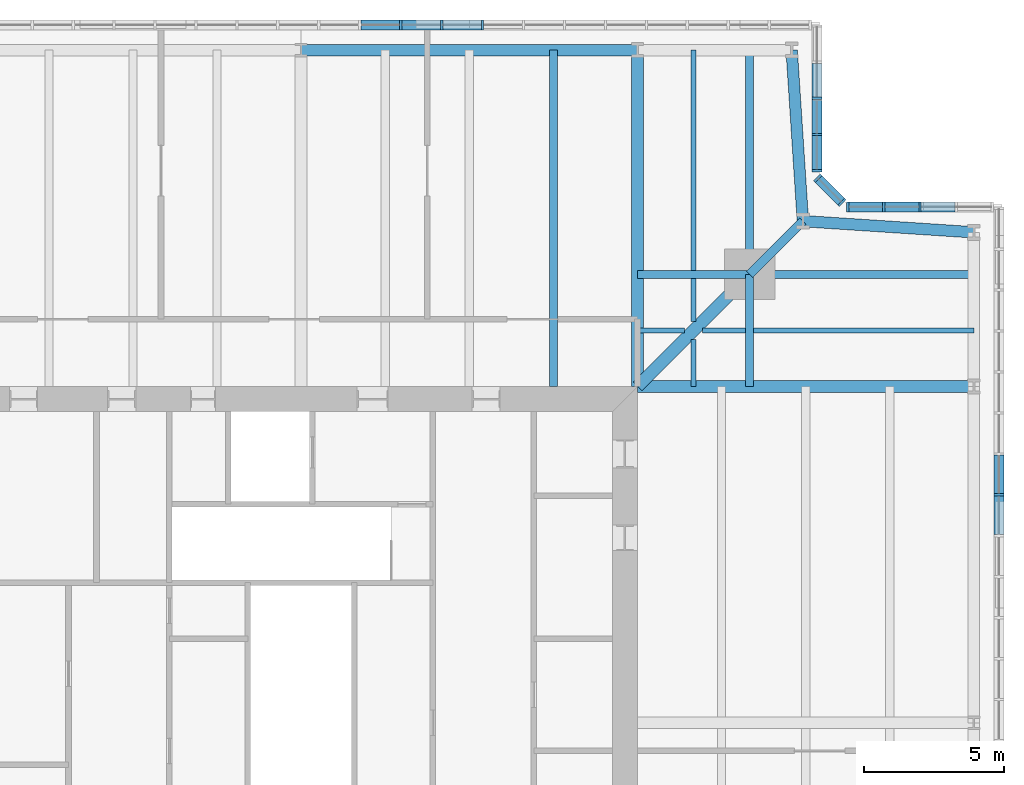
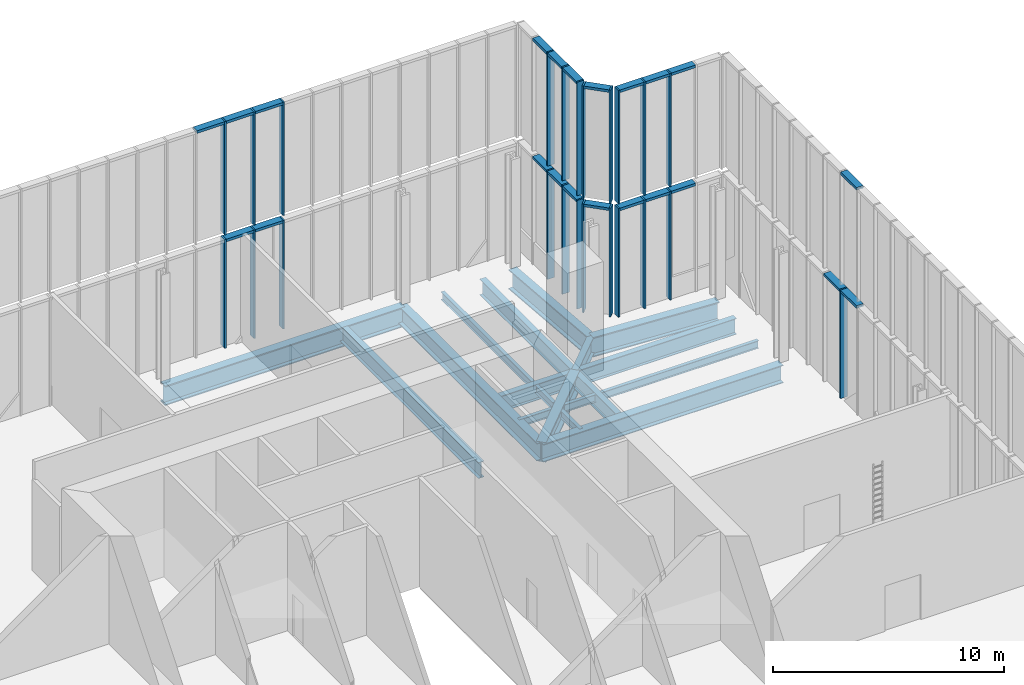
# One storey, part 10 of 25: 45 members, 18 beams, 10 elements without a shape of their own.
"""IFC4 building model written with IfcOpenShell, lengths in metres."""

from ifc_helpers import new_model, si_unit, direction, frame, origin, origin_2d, place, context, subcontext, project, spatial, rectangle, i_section, extrude, material, material_profile, profile_set, type_object, element, aggregate, save


model = new_model("IFC4")

# Units and contexts
model_context = context("Model", 3, precision=1e-05, world=origin(), true_north=direction((0.0, 1.0)))
body_context = subcontext(model_context, "Body", "Model", "MODEL_VIEW")
ifc_project = project(units=[si_unit("LENGTHUNIT", "METRE"), si_unit("AREAUNIT", "SQUARE_METRE"), si_unit("VOLUMEUNIT", "CUBIC_METRE"), si_unit("PLANEANGLEUNIT", "RADIAN"), si_unit("MASSUNIT", "GRAM", prefix="KILO")], contexts=[model_context])

# Site, building, storey
site_placement = place(None, origin())
site = spatial("IfcSite", under=ifc_project, at=site_placement, CompositionType="ELEMENT")
building_placement = place(site_placement, origin())
building = spatial("IfcBuilding", under=site, at=building_placement, Name="Fenwick Lantern Interchange", CompositionType="ELEMENT")
storey_placement = place(building_placement, frame((0.0, 0.0, 307.800048828125)))
storey = spatial("IfcBuildingStorey", under=building, at=storey_placement, Name="L74", CompositionType="ELEMENT", Elevation=307.800048828125)

# Beams
ifc_material_1 = material(Name="Steel ASTM A992 Grade 50", Category="steel")
ifc_material_profile_1 = material_profile(ifc_material_1, i_section(OverallWidth=0.408935546875, OverallDepth=1.04150390625, WebThickness=0.031005859375, FlangeThickness=0.055908203125, at=origin_2d()), Name="W40X397")
ifc_profile_set_1 = profile_set([ifc_material_profile_1], Name="Steel ASTM A992 Grade 50")
beam_type_1 = type_object("IfcBeamType", Name="EDGE BEAM W40X397", PredefinedType="SPANDREL", material=ifc_profile_set_1)
for number, where, z_axis, x_axis, name in (
    (1, (49.0, 42.5, -0.720703125), (-0.997858060337, 0.065416293237, 0.0), (-0.065416293237, -0.997858060337, 0.0), "L74/FR/E/EBR1"),
    (2, (42.89990234375, 42.89990234375, -0.720703125), (-0.065416293237, 0.997858060337, 0.0), (-0.997858060337, -0.065416293237, 0.0), "L74/FR/E/EBR2"),
):
    element("IfcBeam", number, at=place(storey_placement, frame(where, z_axis=z_axis, x_axis=x_axis)), inside=storey, type_object=beam_type_1, Name=name, PredefinedType="SPANDREL", context=body_context, shape_type="SweptSolid", body=[
        extrude(i_section(OverallWidth=0.408935546875, OverallDepth=1.04150390625, WebThickness=0.031005859375, FlangeThickness=0.055908203125, at=origin_2d()), origin(), (0.0, 0.0, 1.0), 6.11328125),
    ])
beam_1_placement = place(storey_placement, frame((37.0, 49.0, -0.720703125), z_axis=(-1.0, 0.0, 0.0), x_axis=(0.0, -1.0, 0.0)))
element("IfcBeam", 3, at=beam_1_placement, inside=storey, type_object=beam_type_1, Name="L74/FR/N/EB2", PredefinedType="SPANDREL", context=body_context, shape_type="SweptSolid", body=[
    extrude(i_section(OverallWidth=0.408935546875, OverallDepth=1.04150390625, WebThickness=0.031005859375, FlangeThickness=0.055908203125, at=origin_2d()), origin(), (0.0, 0.0, 1.0), 12.0),
])
ifc_material_profile_2 = material_profile(ifc_material_1, i_section(OverallWidth=0.2919921875, OverallDepth=0.845703125, WebThickness=0.015380859375, FlangeThickness=0.0244140625, at=origin_2d()), Name="W33X141")
ifc_profile_set_2 = profile_set([ifc_material_profile_2], Name="Steel ASTM A992 Grade 50")
beam_type_2 = type_object("IfcBeamType", Name="FLOOR BEAM W33X141", PredefinedType="BEAM", material=ifc_profile_set_2)
beam_2_placement = place(storey_placement, frame((34.0, 49.0, -0.623046875), z_axis=(0.0, -1.0, 0.0), x_axis=(1.0, 0.0, 0.0)))
element("IfcBeam", 4, at=beam_2_placement, inside=storey, type_object=beam_type_2, Name="L74/FR/N/R02", PredefinedType="BEAM", context=body_context, shape_type="SweptSolid", body=[
    extrude(i_section(OverallWidth=0.2919921875, OverallDepth=0.845703125, WebThickness=0.015380859375, FlangeThickness=0.0244140625, at=origin_2d()), origin(), (0.0, 0.0, 1.0), 12.0),
])
ifc_material_profile_3 = material_profile(ifc_material_1, i_section(OverallWidth=0.177734375, OverallDepth=0.406494140625, WebThickness=0.0078125, FlangeThickness=0.012939453125, at=origin_2d()), Name="W16X40")
ifc_profile_set_3 = profile_set([ifc_material_profile_3], Name="Steel ASTM A992 Grade 50")
beam_type_3 = type_object("IfcBeamType", Name="INFILL BEAM W16X40", PredefinedType="JOIST", material=ifc_profile_set_3)
beam_3_placement = place(storey_placement, frame((39.0, 49.0, -0.4033203125), z_axis=(0.0, -1.0, 0.0), x_axis=(1.0, 0.0, 0.0)))
element("IfcBeam", 5, at=beam_3_placement, inside=storey, type_object=beam_type_3, Name="L74/FR/N/J1", PredefinedType="JOIST", context=body_context, shape_type="SweptSolid", body=[
    extrude(i_section(OverallWidth=0.177734375, OverallDepth=0.406494140625, WebThickness=0.0078125, FlangeThickness=0.012939453125, at=origin_2d()), origin(), (0.0, 0.0, 1.0), 7.85400390625),
])
beam_4_placement = place(storey_placement, frame((39.0, 40.85400390625, -0.4033203125), z_axis=(0.0, -1.0, 0.0), x_axis=(1.0, 0.0, 0.0)))
element("IfcBeam", 6, at=beam_4_placement, inside=storey, type_object=beam_type_3, Name="L74/FR/N/J2", PredefinedType="JOIST", context=body_context, shape_type="SweptSolid", body=[
    extrude(i_section(OverallWidth=0.177734375, OverallDepth=0.406494140625, WebThickness=0.0078125, FlangeThickness=0.012939453125, at=origin_2d()), origin(), (0.0, 0.0, 1.0), 1.537841796875),
])
beam_5_placement = place(storey_placement, frame((39.0, 38.683837890625, -0.4033203125), z_axis=(0.0, -1.0, 0.0), x_axis=(1.0, 0.0, 0.0)))
element("IfcBeam", 7, at=beam_5_placement, inside=storey, type_object=beam_type_3, Name="L74/FR/N/J6", PredefinedType="JOIST", context=body_context, shape_type="SweptSolid", body=[
    extrude(i_section(OverallWidth=0.177734375, OverallDepth=0.406494140625, WebThickness=0.0078125, FlangeThickness=0.012939453125, at=origin_2d()), origin(), (0.0, 0.0, 1.0), 1.683837890625),
])
beam_6_placement = place(storey_placement, frame((49.0, 39.0, -0.4033203125), z_axis=(-1.0, 0.0, 0.0), x_axis=(0.0, -1.0, 0.0)))
element("IfcBeam", 8, at=beam_6_placement, inside=storey, type_object=beam_type_3, Name="L74/FR/N/J3", PredefinedType="JOIST", context=body_context, shape_type="SweptSolid", body=[
    extrude(i_section(OverallWidth=0.177734375, OverallDepth=0.406494140625, WebThickness=0.0078125, FlangeThickness=0.012939453125, at=origin_2d()), origin(), (0.0, 0.0, 1.0), 7.85400390625),
])
beam_7_placement = place(storey_placement, frame((40.85400390625, 39.0, -0.4033203125), z_axis=(-1.0, 0.0, 0.0), x_axis=(0.0, -1.0, 0.0)))
element("IfcBeam", 9, at=beam_7_placement, inside=storey, type_object=beam_type_3, Name="L74/FR/N/J4", PredefinedType="JOIST", context=body_context, shape_type="SweptSolid", body=[
    extrude(i_section(OverallWidth=0.177734375, OverallDepth=0.406494140625, WebThickness=0.0078125, FlangeThickness=0.012939453125, at=origin_2d()), origin(), (0.0, 0.0, 1.0), 1.537841796875),
])
beam_8_placement = place(storey_placement, frame((38.683837890625, 39.0, -0.4033203125), z_axis=(-1.0, 0.0, 0.0), x_axis=(0.0, -1.0, 0.0)))
element("IfcBeam", 10, at=beam_8_placement, inside=storey, type_object=beam_type_3, Name="L74/FR/N/J5", PredefinedType="JOIST", context=body_context, shape_type="SweptSolid", body=[
    extrude(i_section(OverallWidth=0.177734375, OverallDepth=0.406494140625, WebThickness=0.0078125, FlangeThickness=0.012939453125, at=origin_2d()), origin(), (0.0, 0.0, 1.0), 1.683837890625),
])

# Curtain wall, member
ifc_material_2 = material(Name="Aluminium curtain wall frame", Category="aluminium")
curtain_wall_type = type_object("IfcCurtainWallType", Name="LANTERN GLAZING", PredefinedType="USERDEFINED", material=ifc_material_2)
curtain_wall_1_placement = place(storey_placement, origin())
curtain_wall_1 = element("IfcCurtainWall", 11, at=curtain_wall_1_placement, inside=storey, type_object=curtain_wall_type, Name="Lantern glazing 05", ObjectType="LANTERN GLAZING", PredefinedType="USERDEFINED")
ifc_material_3 = material(Name="Aluminium extrusion", Category="aluminium")
ifc_material_profile_4 = material_profile(ifc_material_3, rectangle(XDim=0.35009765625, YDim=0.080078125, at=origin_2d()), Name="LANTERN GLAZING MULLION 80 X 350")
ifc_profile_set_4 = profile_set([ifc_material_profile_4], Name="Aluminium extrusion")
member_type_1 = type_object("IfcMemberType", Name="LANTERN GLAZING MULLION 80 X 350", PredefinedType="MULLION", material=ifc_profile_set_4)
member_1_placement = place(storey_placement, frame((49.89990234375, 33.134521484375, 0.0), z_axis=(0.0, 0.0, 1.0), x_axis=(-1.0, 0.0, 0.0)))
member_1 = element("IfcMember", 12, at=member_1_placement, type_object=member_type_1, Name="L74/CW/05/M18", PredefinedType="MULLION", context=body_context, shape_type="SweptSolid", body=[
    extrude(rectangle(XDim=0.35009765625, YDim=0.080078125, at=origin_2d()), origin(), (0.0, 0.0, 1.0), 5.75),
])

# Curtain wall, members
curtain_wall_2_placement = place(storey_placement, origin())
curtain_wall_2 = element("IfcCurtainWall", 13, at=curtain_wall_2_placement, inside=storey, type_object=curtain_wall_type, Name="Lantern glazing 06", ObjectType="LANTERN GLAZING", PredefinedType="USERDEFINED")
member_2_placement = place(storey_placement, frame((47.079345703125, 43.39990234375, 0.0), z_axis=(0.0, 0.0, 1.0), x_axis=(0.0, -1.0, 0.0)))
member_2 = element("IfcMember", 14, at=member_2_placement, type_object=member_type_1, Name="L74/CW/06/M02", PredefinedType="MULLION", context=body_context, shape_type="SweptSolid", body=[
    extrude(rectangle(XDim=0.35009765625, YDim=0.080078125, at=origin_2d()), origin(), (0.0, 0.0, 1.0), 5.75),
])
member_3_placement = place(storey_placement, frame((45.788818359375, 43.39990234375, 0.0), z_axis=(0.0, 0.0, 1.0), x_axis=(0.0, -1.0, 0.0)))
member_3 = element("IfcMember", 15, at=member_3_placement, type_object=member_type_1, Name="L74/CW/06/M03", PredefinedType="MULLION", context=body_context, shape_type="SweptSolid", body=[
    extrude(rectangle(XDim=0.35009765625, YDim=0.080078125, at=origin_2d()), origin(), (0.0, 0.0, 1.0), 5.75),
])
member_4_placement = place(storey_placement, frame((44.49853515625, 43.39990234375, 0.0), z_axis=(0.0, 0.0, 1.0), x_axis=(0.0, -1.0, 0.0)))
member_4 = element("IfcMember", 16, at=member_4_placement, type_object=member_type_1, Name="L74/CW/06/M04", PredefinedType="MULLION", context=body_context, shape_type="SweptSolid", body=[
    extrude(rectangle(XDim=0.35009765625, YDim=0.080078125, at=origin_2d()), origin(), (0.0, 0.0, 1.0), 5.75),
])

curtain_wall_3_placement = place(storey_placement, origin())
curtain_wall_3 = element("IfcCurtainWall", 17, at=curtain_wall_3_placement, inside=storey, type_object=curtain_wall_type, Name="Lantern glazing 07", ObjectType="LANTERN GLAZING", PredefinedType="USERDEFINED")
member_5_placement = place(storey_placement, frame((44.288818359375, 43.56982421875, 0.0), z_axis=(0.0, 0.0, 1.0), x_axis=(-0.707106781187, -0.707106781187, 0.0)))
member_5 = element("IfcMember", 18, at=member_5_placement, type_object=member_type_1, Name="L74/CW/07/M00", PredefinedType="MULLION", context=body_context, shape_type="SweptSolid", body=[
    extrude(rectangle(XDim=0.35009765625, YDim=0.080078125, at=origin_2d()), origin(), (0.0, 0.0, 1.0), 5.75),
])
member_6_placement = place(storey_placement, frame((43.42822265625, 44.43017578125, 0.0), z_axis=(0.0, 0.0, 1.0), x_axis=(-0.707106781187, -0.707106781187, 0.0)))
member_6 = element("IfcMember", 19, at=member_6_placement, type_object=member_type_1, Name="L74/CW/07/M01", PredefinedType="MULLION", context=body_context, shape_type="SweptSolid", body=[
    extrude(rectangle(XDim=0.35009765625, YDim=0.080078125, at=origin_2d()), origin(), (0.0, 0.0, 1.0), 5.75),
])

curtain_wall_4_placement = place(storey_placement, origin())
curtain_wall_4 = element("IfcCurtainWall", 20, at=curtain_wall_4_placement, inside=storey, type_object=curtain_wall_type, Name="Lantern glazing 08", ObjectType="LANTERN GLAZING", PredefinedType="USERDEFINED")
member_7_placement = place(storey_placement, frame((43.39990234375, 44.698486328125, 0.0), z_axis=(0.0, 0.0, 1.0), x_axis=(-1.0, 0.0, 0.0)))
member_7 = element("IfcMember", 21, at=member_7_placement, type_object=member_type_1, Name="L74/CW/08/M00", PredefinedType="MULLION", context=body_context, shape_type="SweptSolid", body=[
    extrude(rectangle(XDim=0.35009765625, YDim=0.080078125, at=origin_2d()), origin(), (0.0, 0.0, 1.0), 5.75),
])
member_8_placement = place(storey_placement, frame((43.39990234375, 45.989013671875, 0.0), z_axis=(0.0, 0.0, 1.0), x_axis=(-1.0, 0.0, 0.0)))
member_8 = element("IfcMember", 22, at=member_8_placement, type_object=member_type_1, Name="L74/CW/08/M01", PredefinedType="MULLION", context=body_context, shape_type="SweptSolid", body=[
    extrude(rectangle(XDim=0.35009765625, YDim=0.080078125, at=origin_2d()), origin(), (0.0, 0.0, 1.0), 5.75),
])
member_9_placement = place(storey_placement, frame((43.39990234375, 47.279296875, 0.0), z_axis=(0.0, 0.0, 1.0), x_axis=(-1.0, 0.0, 0.0)))
member_9 = element("IfcMember", 23, at=member_9_placement, type_object=member_type_1, Name="L74/CW/08/M02", PredefinedType="MULLION", context=body_context, shape_type="SweptSolid", body=[
    extrude(rectangle(XDim=0.35009765625, YDim=0.080078125, at=origin_2d()), origin(), (0.0, 0.0, 1.0), 5.75),
])

curtain_wall_5_placement = place(storey_placement, origin())
curtain_wall_5 = element("IfcCurtainWall", 24, at=curtain_wall_5_placement, inside=storey, type_object=curtain_wall_type, Name="Lantern glazing 09", ObjectType="LANTERN GLAZING", PredefinedType="USERDEFINED")
member_10_placement = place(storey_placement, frame((31.4736328125, 49.89990234375, 0.0), z_axis=(0.0, 0.0, 1.0), x_axis=(0.0, -1.0, 0.0)))
member_10 = element("IfcMember", 25, at=member_10_placement, type_object=member_type_1, Name="L74/CW/09/M08", PredefinedType="MULLION", context=body_context, shape_type="SweptSolid", body=[
    extrude(rectangle(XDim=0.35009765625, YDim=0.080078125, at=origin_2d()), origin(), (0.0, 0.0, 1.0), 5.75),
])
member_11_placement = place(storey_placement, frame((30.0126953125, 49.89990234375, 0.0), z_axis=(0.0, 0.0, 1.0), x_axis=(0.0, -1.0, 0.0)))
member_11 = element("IfcMember", 26, at=member_11_placement, type_object=member_type_1, Name="L74/CW/09/M09", PredefinedType="MULLION", context=body_context, shape_type="SweptSolid", body=[
    extrude(rectangle(XDim=0.35009765625, YDim=0.080078125, at=origin_2d()), origin(), (0.0, 0.0, 1.0), 5.75),
])
member_12_placement = place(storey_placement, frame((28.552001953125, 49.89990234375, 0.0), z_axis=(0.0, 0.0, 1.0), x_axis=(0.0, -1.0, 0.0)))
member_12 = element("IfcMember", 27, at=member_12_placement, type_object=member_type_1, Name="L74/CW/09/M10", PredefinedType="MULLION", context=body_context, shape_type="SweptSolid", body=[
    extrude(rectangle(XDim=0.35009765625, YDim=0.080078125, at=origin_2d()), origin(), (0.0, 0.0, 1.0), 5.75),
])

curtain_wall_6_placement = place(storey_placement, origin())
curtain_wall_6 = element("IfcCurtainWall", 28, at=curtain_wall_6_placement, inside=storey, type_object=curtain_wall_type, Name="Lantern glazing 06", ObjectType="LANTERN GLAZING", PredefinedType="USERDEFINED")
member_13_placement = place(storey_placement, frame((47.079345703125, 43.39990234375, 6.0), z_axis=(0.0, 0.0, 1.0), x_axis=(0.0, -1.0, 0.0)))
member_13 = element("IfcMember", 29, at=member_13_placement, type_object=member_type_1, Name="RF/LANTERN/06/M02", PredefinedType="MULLION", context=body_context, shape_type="SweptSolid", body=[
    extrude(rectangle(XDim=0.35009765625, YDim=0.080078125, at=origin_2d()), origin(), (0.0, 0.0, 1.0), 6.0),
])
member_14_placement = place(storey_placement, frame((45.788818359375, 43.39990234375, 6.0), z_axis=(0.0, 0.0, 1.0), x_axis=(0.0, -1.0, 0.0)))
member_14 = element("IfcMember", 30, at=member_14_placement, type_object=member_type_1, Name="RF/LANTERN/06/M03", PredefinedType="MULLION", context=body_context, shape_type="SweptSolid", body=[
    extrude(rectangle(XDim=0.35009765625, YDim=0.080078125, at=origin_2d()), origin(), (0.0, 0.0, 1.0), 6.0),
])
member_15_placement = place(storey_placement, frame((44.49853515625, 43.39990234375, 6.0), z_axis=(0.0, 0.0, 1.0), x_axis=(0.0, -1.0, 0.0)))
member_15 = element("IfcMember", 31, at=member_15_placement, type_object=member_type_1, Name="RF/LANTERN/06/M04", PredefinedType="MULLION", context=body_context, shape_type="SweptSolid", body=[
    extrude(rectangle(XDim=0.35009765625, YDim=0.080078125, at=origin_2d()), origin(), (0.0, 0.0, 1.0), 6.0),
])

curtain_wall_7_placement = place(storey_placement, origin())
curtain_wall_7 = element("IfcCurtainWall", 32, at=curtain_wall_7_placement, inside=storey, type_object=curtain_wall_type, Name="Lantern glazing 07", ObjectType="LANTERN GLAZING", PredefinedType="USERDEFINED")
member_16_placement = place(storey_placement, frame((44.288818359375, 43.56982421875, 6.0), z_axis=(0.0, 0.0, 1.0), x_axis=(-0.707106781187, -0.707106781187, 0.0)))
member_16 = element("IfcMember", 33, at=member_16_placement, type_object=member_type_1, Name="RF/LANTERN/07/M00", PredefinedType="MULLION", context=body_context, shape_type="SweptSolid", body=[
    extrude(rectangle(XDim=0.35009765625, YDim=0.080078125, at=origin_2d()), origin(), (0.0, 0.0, 1.0), 6.0),
])
member_17_placement = place(storey_placement, frame((43.42822265625, 44.43017578125, 6.0), z_axis=(0.0, 0.0, 1.0), x_axis=(-0.707106781187, -0.707106781187, 0.0)))
member_17 = element("IfcMember", 34, at=member_17_placement, type_object=member_type_1, Name="RF/LANTERN/07/M01", PredefinedType="MULLION", context=body_context, shape_type="SweptSolid", body=[
    extrude(rectangle(XDim=0.35009765625, YDim=0.080078125, at=origin_2d()), origin(), (0.0, 0.0, 1.0), 6.0),
])

curtain_wall_8_placement = place(storey_placement, origin())
curtain_wall_8 = element("IfcCurtainWall", 35, at=curtain_wall_8_placement, inside=storey, type_object=curtain_wall_type, Name="Lantern glazing 08", ObjectType="LANTERN GLAZING", PredefinedType="USERDEFINED")
member_18_placement = place(storey_placement, frame((43.39990234375, 44.698486328125, 6.0), z_axis=(0.0, 0.0, 1.0), x_axis=(-1.0, 0.0, 0.0)))
member_18 = element("IfcMember", 36, at=member_18_placement, type_object=member_type_1, Name="RF/LANTERN/08/M00", PredefinedType="MULLION", context=body_context, shape_type="SweptSolid", body=[
    extrude(rectangle(XDim=0.35009765625, YDim=0.080078125, at=origin_2d()), origin(), (0.0, 0.0, 1.0), 6.0),
])
member_19_placement = place(storey_placement, frame((43.39990234375, 45.989013671875, 6.0), z_axis=(0.0, 0.0, 1.0), x_axis=(-1.0, 0.0, 0.0)))
member_19 = element("IfcMember", 37, at=member_19_placement, type_object=member_type_1, Name="RF/LANTERN/08/M01", PredefinedType="MULLION", context=body_context, shape_type="SweptSolid", body=[
    extrude(rectangle(XDim=0.35009765625, YDim=0.080078125, at=origin_2d()), origin(), (0.0, 0.0, 1.0), 6.0),
])
member_20_placement = place(storey_placement, frame((43.39990234375, 47.279296875, 6.0), z_axis=(0.0, 0.0, 1.0), x_axis=(-1.0, 0.0, 0.0)))
member_20 = element("IfcMember", 38, at=member_20_placement, type_object=member_type_1, Name="RF/LANTERN/08/M02", PredefinedType="MULLION", context=body_context, shape_type="SweptSolid", body=[
    extrude(rectangle(XDim=0.35009765625, YDim=0.080078125, at=origin_2d()), origin(), (0.0, 0.0, 1.0), 6.0),
])

curtain_wall_9_placement = place(storey_placement, origin())
curtain_wall_9 = element("IfcCurtainWall", 39, at=curtain_wall_9_placement, inside=storey, type_object=curtain_wall_type, Name="Lantern glazing 09", ObjectType="LANTERN GLAZING", PredefinedType="USERDEFINED")
member_21_placement = place(storey_placement, frame((31.4736328125, 49.89990234375, 6.0), z_axis=(0.0, 0.0, 1.0), x_axis=(0.0, -1.0, 0.0)))
member_21 = element("IfcMember", 40, at=member_21_placement, type_object=member_type_1, Name="RF/LANTERN/09/M08", PredefinedType="MULLION", context=body_context, shape_type="SweptSolid", body=[
    extrude(rectangle(XDim=0.35009765625, YDim=0.080078125, at=origin_2d()), origin(), (0.0, 0.0, 1.0), 6.0),
])
member_22_placement = place(storey_placement, frame((30.0126953125, 49.89990234375, 6.0), z_axis=(0.0, 0.0, 1.0), x_axis=(0.0, -1.0, 0.0)))
member_22 = element("IfcMember", 41, at=member_22_placement, type_object=member_type_1, Name="RF/LANTERN/09/M09", PredefinedType="MULLION", context=body_context, shape_type="SweptSolid", body=[
    extrude(rectangle(XDim=0.35009765625, YDim=0.080078125, at=origin_2d()), origin(), (0.0, 0.0, 1.0), 6.0),
])
member_23_placement = place(storey_placement, frame((28.552001953125, 49.89990234375, 6.0), z_axis=(0.0, 0.0, 1.0), x_axis=(0.0, -1.0, 0.0)))
member_23 = element("IfcMember", 42, at=member_23_placement, type_object=member_type_1, Name="RF/LANTERN/09/M10", PredefinedType="MULLION", context=body_context, shape_type="SweptSolid", body=[
    extrude(rectangle(XDim=0.35009765625, YDim=0.080078125, at=origin_2d()), origin(), (0.0, 0.0, 1.0), 6.0),
])

# Member
ifc_material_profile_5 = material_profile(ifc_material_3, rectangle(XDim=0.35009765625, YDim=0.139892578125, at=origin_2d()), Name="LANTERN GLAZING TRANSOM 140 X 350")
ifc_profile_set_5 = profile_set([ifc_material_profile_5], Name="Aluminium extrusion")
member_type_2 = type_object("IfcMemberType", Name="LANTERN GLAZING TRANSOM 140 X 350", PredefinedType="MULLION", material=ifc_profile_set_5)
member_24_placement = place(storey_placement, frame((49.89990234375, 31.713623046875, 5.679931640625), z_axis=(0.0, 1.0, 0.0), x_axis=(-1.0, 0.0, 0.0)))
member_24 = element("IfcMember", 43, at=member_24_placement, type_object=member_type_2, Name="L74/CW/05/T17", PredefinedType="MULLION", context=body_context, shape_type="SweptSolid", body=[
    extrude(rectangle(XDim=0.35009765625, YDim=0.139892578125, at=origin_2d()), origin(), (0.0, 0.0, 1.0), 1.380859375),
])

member_25_placement = place(storey_placement, frame((49.89990234375, 33.17431640625, 5.679931640625), z_axis=(0.0, 1.0, 0.0), x_axis=(-1.0, 0.0, 0.0)))
member_25 = element("IfcMember", 44, at=member_25_placement, type_object=member_type_2, Name="L74/CW/05/T18", PredefinedType="MULLION", context=body_context, shape_type="SweptSolid", body=[
    extrude(rectangle(XDim=0.35009765625, YDim=0.139892578125, at=origin_2d()), origin(), (0.0, 0.0, 1.0), 1.380859375),
])

aggregate(curtain_wall_1, [member_1, member_24, member_25])

member_26_placement = place(storey_placement, frame((48.32958984375, 43.39990234375, 5.679931640625), z_axis=(-1.0, 0.0, 0.0), x_axis=(0.0, -1.0, 0.0)))
member_26 = element("IfcMember", 45, at=member_26_placement, type_object=member_type_2, Name="L74/CW/06/T01", PredefinedType="MULLION", context=body_context, shape_type="SweptSolid", body=[
    extrude(rectangle(XDim=0.35009765625, YDim=0.139892578125, at=origin_2d()), origin(), (0.0, 0.0, 1.0), 1.210205078125),
])

member_27_placement = place(storey_placement, frame((47.039306640625, 43.39990234375, 5.679931640625), z_axis=(-1.0, 0.0, 0.0), x_axis=(0.0, -1.0, 0.0)))
member_27 = element("IfcMember", 46, at=member_27_placement, type_object=member_type_2, Name="L74/CW/06/T02", PredefinedType="MULLION", context=body_context, shape_type="SweptSolid", body=[
    extrude(rectangle(XDim=0.35009765625, YDim=0.139892578125, at=origin_2d()), origin(), (0.0, 0.0, 1.0), 1.21044921875),
])

member_28_placement = place(storey_placement, frame((45.7490234375, 43.39990234375, 5.679931640625), z_axis=(-1.0, 0.0, 0.0), x_axis=(0.0, -1.0, 0.0)))
member_28 = element("IfcMember", 47, at=member_28_placement, type_object=member_type_2, Name="L74/CW/06/T03", PredefinedType="MULLION", context=body_context, shape_type="SweptSolid", body=[
    extrude(rectangle(XDim=0.35009765625, YDim=0.139892578125, at=origin_2d()), origin(), (0.0, 0.0, 1.0), 1.21044921875),
])

aggregate(curtain_wall_2, [member_2, member_3, member_4, member_26, member_27, member_28])

member_29_placement = place(storey_placement, frame((44.260498046875, 43.597900390625, 5.679931640625), z_axis=(-0.706999424203, 0.707214121873, 0.0), x_axis=(-0.707214121873, -0.706999424203, 0.0)))
member_29 = element("IfcMember", 48, at=member_29_placement, type_object=member_type_2, Name="L74/CW/07/T00", PredefinedType="MULLION", context=body_context, shape_type="SweptSolid", body=[
    extrude(rectangle(XDim=0.35009765625, YDim=0.139892578125, at=origin_2d()), origin(), (0.0, 0.0, 1.0), 1.13720703125),
])

aggregate(curtain_wall_3, [member_5, member_6, member_29])

member_30_placement = place(storey_placement, frame((43.39990234375, 44.738525390625, 5.679931640625), z_axis=(0.0, 1.0, 0.0), x_axis=(-1.0, 0.0, 0.0)))
member_30 = element("IfcMember", 49, at=member_30_placement, type_object=member_type_2, Name="L74/CW/08/T00", PredefinedType="MULLION", context=body_context, shape_type="SweptSolid", body=[
    extrude(rectangle(XDim=0.35009765625, YDim=0.139892578125, at=origin_2d()), origin(), (0.0, 0.0, 1.0), 1.21044921875),
])

member_31_placement = place(storey_placement, frame((43.39990234375, 46.029052734375, 5.679931640625), z_axis=(0.0, 1.0, 0.0), x_axis=(-1.0, 0.0, 0.0)))
member_31 = element("IfcMember", 50, at=member_31_placement, type_object=member_type_2, Name="L74/CW/08/T01", PredefinedType="MULLION", context=body_context, shape_type="SweptSolid", body=[
    extrude(rectangle(XDim=0.35009765625, YDim=0.139892578125, at=origin_2d()), origin(), (0.0, 0.0, 1.0), 1.210205078125),
])

member_32_placement = place(storey_placement, frame((43.39990234375, 47.3193359375, 5.679931640625), z_axis=(0.0, 1.0, 0.0), x_axis=(-1.0, 0.0, 0.0)))
member_32 = element("IfcMember", 51, at=member_32_placement, type_object=member_type_2, Name="L74/CW/08/T02", PredefinedType="MULLION", context=body_context, shape_type="SweptSolid", body=[
    extrude(rectangle(XDim=0.35009765625, YDim=0.139892578125, at=origin_2d()), origin(), (0.0, 0.0, 1.0), 1.210205078125),
])

aggregate(curtain_wall_4, [member_7, member_8, member_9, member_30, member_31, member_32])

member_33_placement = place(storey_placement, frame((31.43359375, 49.89990234375, 5.679931640625), z_axis=(-1.0, 0.0, 0.0), x_axis=(0.0, -1.0, 0.0)))
member_33 = element("IfcMember", 52, at=member_33_placement, type_object=member_type_2, Name="L74/CW/09/T08", PredefinedType="MULLION", context=body_context, shape_type="SweptSolid", body=[
    extrude(rectangle(XDim=0.35009765625, YDim=0.139892578125, at=origin_2d()), origin(), (0.0, 0.0, 1.0), 1.380859375),
])

member_34_placement = place(storey_placement, frame((29.972900390625, 49.89990234375, 5.679931640625), z_axis=(-1.0, 0.0, 0.0), x_axis=(0.0, -1.0, 0.0)))
member_34 = element("IfcMember", 53, at=member_34_placement, type_object=member_type_2, Name="L74/CW/09/T09", PredefinedType="MULLION", context=body_context, shape_type="SweptSolid", body=[
    extrude(rectangle(XDim=0.35009765625, YDim=0.139892578125, at=origin_2d()), origin(), (0.0, 0.0, 1.0), 1.380859375),
])

aggregate(curtain_wall_5, [member_10, member_11, member_12, member_33, member_34])

# Curtain wall, member
curtain_wall_10_placement = place(storey_placement, origin())
curtain_wall_10 = element("IfcCurtainWall", 54, at=curtain_wall_10_placement, inside=storey, type_object=curtain_wall_type, Name="Lantern glazing 05", ObjectType="LANTERN GLAZING", PredefinedType="USERDEFINED")
member_35_placement = place(storey_placement, frame((49.89990234375, 31.713623046875, 11.929931640625), z_axis=(0.0, 1.0, 0.0), x_axis=(-1.0, 0.0, 0.0)))
member_35 = element("IfcMember", 55, at=member_35_placement, type_object=member_type_2, Name="RF/LANTERN/05/T17", PredefinedType="MULLION", context=body_context, shape_type="SweptSolid", body=[
    extrude(rectangle(XDim=0.35009765625, YDim=0.139892578125, at=origin_2d()), origin(), (0.0, 0.0, 1.0), 1.380859375),
])
aggregate(curtain_wall_10, [member_35])

# Member
member_36_placement = place(storey_placement, frame((48.32958984375, 43.39990234375, 11.929931640625), z_axis=(-1.0, 0.0, 0.0), x_axis=(0.0, -1.0, 0.0)))
member_36 = element("IfcMember", 56, at=member_36_placement, type_object=member_type_2, Name="RF/LANTERN/06/T01", PredefinedType="MULLION", context=body_context, shape_type="SweptSolid", body=[
    extrude(rectangle(XDim=0.35009765625, YDim=0.139892578125, at=origin_2d()), origin(), (0.0, 0.0, 1.0), 1.210205078125),
])

member_37_placement = place(storey_placement, frame((47.039306640625, 43.39990234375, 11.929931640625), z_axis=(-1.0, 0.0, 0.0), x_axis=(0.0, -1.0, 0.0)))
member_37 = element("IfcMember", 57, at=member_37_placement, type_object=member_type_2, Name="RF/LANTERN/06/T02", PredefinedType="MULLION", context=body_context, shape_type="SweptSolid", body=[
    extrude(rectangle(XDim=0.35009765625, YDim=0.139892578125, at=origin_2d()), origin(), (0.0, 0.0, 1.0), 1.21044921875),
])

member_38_placement = place(storey_placement, frame((45.7490234375, 43.39990234375, 11.929931640625), z_axis=(-1.0, 0.0, 0.0), x_axis=(0.0, -1.0, 0.0)))
member_38 = element("IfcMember", 58, at=member_38_placement, type_object=member_type_2, Name="RF/LANTERN/06/T03", PredefinedType="MULLION", context=body_context, shape_type="SweptSolid", body=[
    extrude(rectangle(XDim=0.35009765625, YDim=0.139892578125, at=origin_2d()), origin(), (0.0, 0.0, 1.0), 1.21044921875),
])

aggregate(curtain_wall_6, [member_13, member_14, member_15, member_36, member_37, member_38])

member_39_placement = place(storey_placement, frame((44.260498046875, 43.597900390625, 11.929931640625), z_axis=(-0.706999424203, 0.707214121873, 0.0), x_axis=(-0.707214121873, -0.706999424203, 0.0)))
member_39 = element("IfcMember", 59, at=member_39_placement, type_object=member_type_2, Name="RF/LANTERN/07/T00", PredefinedType="MULLION", context=body_context, shape_type="SweptSolid", body=[
    extrude(rectangle(XDim=0.35009765625, YDim=0.139892578125, at=origin_2d()), origin(), (0.0, 0.0, 1.0), 1.13720703125),
])

aggregate(curtain_wall_7, [member_16, member_17, member_39])

member_40_placement = place(storey_placement, frame((43.39990234375, 44.738525390625, 11.929931640625), z_axis=(0.0, 1.0, 0.0), x_axis=(-1.0, 0.0, 0.0)))
member_40 = element("IfcMember", 60, at=member_40_placement, type_object=member_type_2, Name="RF/LANTERN/08/T00", PredefinedType="MULLION", context=body_context, shape_type="SweptSolid", body=[
    extrude(rectangle(XDim=0.35009765625, YDim=0.139892578125, at=origin_2d()), origin(), (0.0, 0.0, 1.0), 1.21044921875),
])

member_41_placement = place(storey_placement, frame((43.39990234375, 46.029052734375, 11.929931640625), z_axis=(0.0, 1.0, 0.0), x_axis=(-1.0, 0.0, 0.0)))
member_41 = element("IfcMember", 61, at=member_41_placement, type_object=member_type_2, Name="RF/LANTERN/08/T01", PredefinedType="MULLION", context=body_context, shape_type="SweptSolid", body=[
    extrude(rectangle(XDim=0.35009765625, YDim=0.139892578125, at=origin_2d()), origin(), (0.0, 0.0, 1.0), 1.210205078125),
])

member_42_placement = place(storey_placement, frame((43.39990234375, 47.3193359375, 11.929931640625), z_axis=(0.0, 1.0, 0.0), x_axis=(-1.0, 0.0, 0.0)))
member_42 = element("IfcMember", 62, at=member_42_placement, type_object=member_type_2, Name="RF/LANTERN/08/T02", PredefinedType="MULLION", context=body_context, shape_type="SweptSolid", body=[
    extrude(rectangle(XDim=0.35009765625, YDim=0.139892578125, at=origin_2d()), origin(), (0.0, 0.0, 1.0), 1.210205078125),
])

aggregate(curtain_wall_8, [member_18, member_19, member_20, member_40, member_41, member_42])

member_43_placement = place(storey_placement, frame((31.43359375, 49.89990234375, 11.929931640625), z_axis=(-1.0, 0.0, 0.0), x_axis=(0.0, -1.0, 0.0)))
member_43 = element("IfcMember", 63, at=member_43_placement, type_object=member_type_2, Name="RF/LANTERN/09/T08", PredefinedType="MULLION", context=body_context, shape_type="SweptSolid", body=[
    extrude(rectangle(XDim=0.35009765625, YDim=0.139892578125, at=origin_2d()), origin(), (0.0, 0.0, 1.0), 1.380859375),
])

member_44_placement = place(storey_placement, frame((29.972900390625, 49.89990234375, 11.929931640625), z_axis=(-1.0, 0.0, 0.0), x_axis=(0.0, -1.0, 0.0)))
member_44 = element("IfcMember", 64, at=member_44_placement, type_object=member_type_2, Name="RF/LANTERN/09/T09", PredefinedType="MULLION", context=body_context, shape_type="SweptSolid", body=[
    extrude(rectangle(XDim=0.35009765625, YDim=0.139892578125, at=origin_2d()), origin(), (0.0, 0.0, 1.0), 1.380859375),
])

member_45_placement = place(storey_placement, frame((28.511962890625, 49.89990234375, 11.929931640625), z_axis=(-1.0, 0.0, 0.0), x_axis=(0.0, -1.0, 0.0)))
member_45 = element("IfcMember", 65, at=member_45_placement, type_object=member_type_2, Name="RF/LANTERN/09/T10", PredefinedType="MULLION", context=body_context, shape_type="SweptSolid", body=[
    extrude(rectangle(XDim=0.35009765625, YDim=0.139892578125, at=origin_2d()), origin(), (0.0, 0.0, 1.0), 1.380859375),
])

aggregate(curtain_wall_9, [member_21, member_22, member_23, member_43, member_44, member_45])

# Beams
ifc_material_profile_6 = material_profile(ifc_material_1, i_section(OverallWidth=0.2919921875, OverallDepth=0.845703125, WebThickness=0.015380859375, FlangeThickness=0.0244140625, at=origin_2d()), Name="W33X141")
ifc_profile_set_6 = profile_set([ifc_material_profile_6], Name="Steel ASTM A992 Grade 50")
beam_type_4 = type_object("IfcBeamType", Name="MEGA COLUMN BEAM W33X141", PredefinedType="BEAM", material=ifc_profile_set_6)
for number, where, z_axis, x_axis, name in (
    (66, (41.0, 41.0, -0.623046875), (0.0, 1.0, 0.0), (-1.0, 0.0, 0.0), "L74/FR/N/MB1"),
    (67, (41.0, 41.0, -0.623046875), (1.0, 0.0, 0.0), (0.0, 1.0, 0.0), "L74/FR/N/MB2"),
):
    element("IfcBeam", number, at=place(storey_placement, frame(where, z_axis=z_axis, x_axis=x_axis)), inside=storey, type_object=beam_type_4, Name=name, PredefinedType="BEAM", context=body_context, shape_type="SweptSolid", body=[
        extrude(i_section(OverallWidth=0.2919921875, OverallDepth=0.845703125, WebThickness=0.015380859375, FlangeThickness=0.0244140625, at=origin_2d()), origin(), (0.0, 0.0, 1.0), 8.0),
    ])
for number, where, z_axis, x_axis, name in (
    (68, (41.0, 41.0, -0.623046875), (-1.0, 0.0, 0.0), (0.0, -1.0, 0.0), "L74/FR/N/MB3"),
    (69, (41.0, 41.0, -0.623046875), (0.0, -1.0, 0.0), (1.0, 0.0, 0.0), "L74/FR/N/MB4"),
):
    element("IfcBeam", number, at=place(storey_placement, frame(where, z_axis=z_axis, x_axis=x_axis)), inside=storey, type_object=beam_type_4, Name=name, PredefinedType="BEAM", context=body_context, shape_type="SweptSolid", body=[
        extrude(i_section(OverallWidth=0.2919921875, OverallDepth=0.845703125, WebThickness=0.015380859375, FlangeThickness=0.0244140625, at=origin_2d()), origin(), (0.0, 0.0, 1.0), 4.0),
    ])
ifc_material_profile_7 = material_profile(ifc_material_1, i_section(OverallWidth=0.424072265625, OverallDepth=0.947509765625, WebThickness=0.02392578125, FlangeThickness=0.042724609375, at=origin_2d()), Name="W36X302")
ifc_profile_set_7 = profile_set([ifc_material_profile_7], Name="Steel ASTM A992 Grade 50")
beam_type_5 = type_object("IfcBeamType", Name="MOMENT-CONNECTED GIRDER W36X302", PredefinedType="BEAM", material=ifc_profile_set_7)
for number, where, z_axis, x_axis, name in (
    (70, (49.0, 37.0, -0.673828125), (-1.0, 0.0, 0.0), (0.0, -1.0, 0.0), "L74/FR/E/R03"),
    (71, (37.0, 49.0, -0.673828125), (0.0, -1.0, 0.0), (1.0, 0.0, 0.0), "L74/FR/N/R01"),
):
    element("IfcBeam", number, at=place(storey_placement, frame(where, z_axis=z_axis, x_axis=x_axis)), inside=storey, type_object=beam_type_5, Name=name, PredefinedType="BEAM", context=body_context, shape_type="SweptSolid", body=[
        extrude(i_section(OverallWidth=0.424072265625, OverallDepth=0.947509765625, WebThickness=0.02392578125, FlangeThickness=0.042724609375, at=origin_2d()), origin(), (0.0, 0.0, 1.0), 12.0),
    ])
ifc_material_profile_8 = material_profile(ifc_material_1, i_section(OverallWidth=0.3046875, OverallDepth=0.911865234375, WebThickness=0.015869140625, FlangeThickness=0.02392578125, at=origin_2d()), Name="W36X150")
ifc_profile_set_8 = profile_set([ifc_material_profile_8], Name="Steel ASTM A992 Grade 50")
beam_type_6 = type_object("IfcBeamType", Name="NOTCH BEAM W36X150", PredefinedType="BEAM", material=ifc_profile_set_8)
beam_9_placement = place(storey_placement, frame((41.0, 41.0, -0.656005859375), z_axis=(0.707106781187, 0.707106781187, 0.0), x_axis=(-0.707106781187, 0.707106781187, 0.0)))
element("IfcBeam", 72, at=beam_9_placement, inside=storey, type_object=beam_type_6, Name="L74/FR/N/TG", PredefinedType="BEAM", context=body_context, shape_type="SweptSolid", body=[
    extrude(i_section(OverallWidth=0.3046875, OverallDepth=0.911865234375, WebThickness=0.015869140625, FlangeThickness=0.02392578125, at=origin_2d()), origin(), (0.0, 0.0, 1.0), 2.686767578125),
])
ifc_material_profile_9 = material_profile(ifc_material_1, i_section(OverallWidth=0.447021484375, OverallDepth=1.0439453125, WebThickness=0.050048828125, FlangeThickness=0.08984375, at=origin_2d()), Name="W36X652")
ifc_profile_set_9 = profile_set([ifc_material_profile_9], Name="Steel ASTM A992 Grade 50")
beam_type_7 = type_object("IfcBeamType", Name="OUTRIGGER CHORD W36X652", PredefinedType="BEAM", material=ifc_profile_set_9)
beam_10_placement = place(storey_placement, frame((37.0, 37.0, -0.721923828125), z_axis=(0.707106781187, 0.707106781187, 0.0), x_axis=(-0.707106781187, 0.707106781187, 0.0)))
element("IfcBeam", 73, at=beam_10_placement, inside=storey, type_object=beam_type_7, Name="L74/OR/N/TC", PredefinedType="BEAM", context=body_context, shape_type="SweptSolid", body=[
    extrude(i_section(OverallWidth=0.447021484375, OverallDepth=1.0439453125, WebThickness=0.050048828125, FlangeThickness=0.08984375, at=origin_2d()), origin(), (0.0, 0.0, 1.0), 5.65673828125),
])

save(model, "model.ifc")
